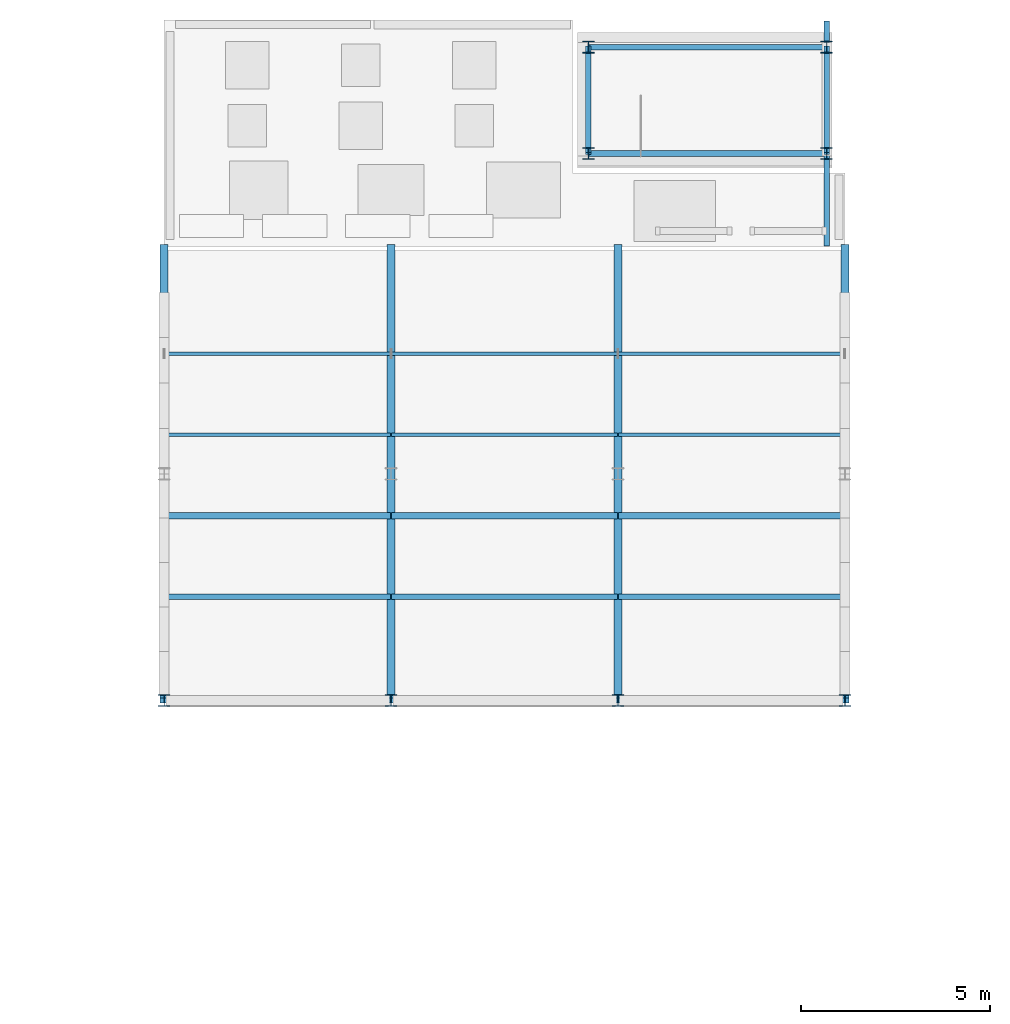
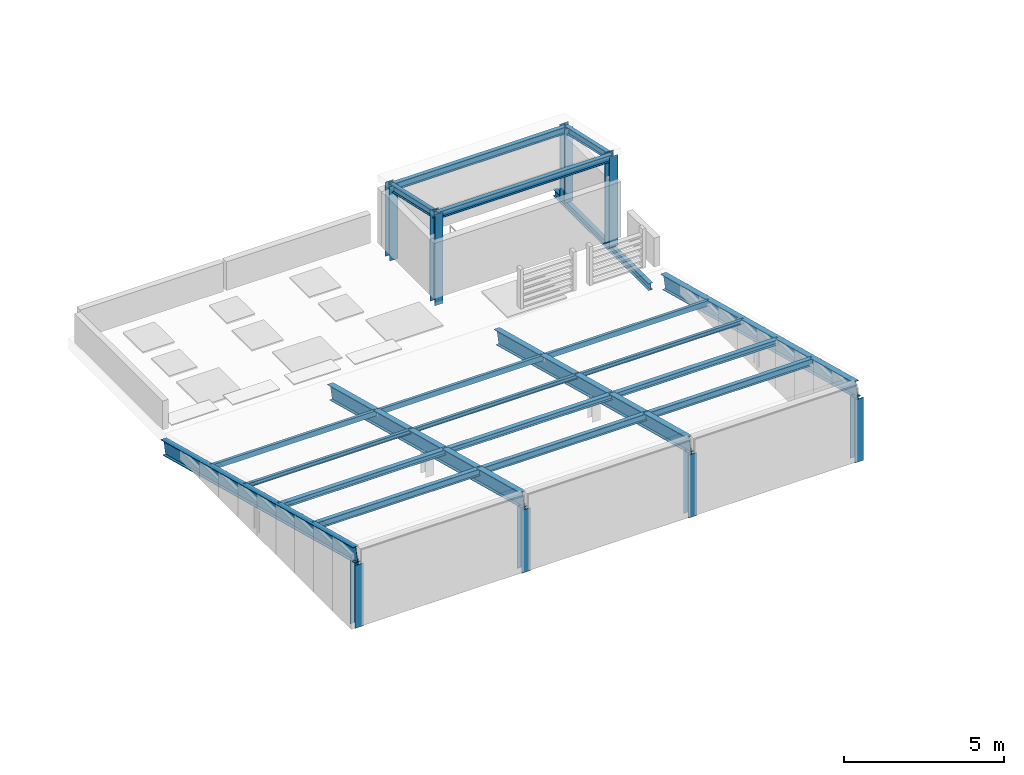
# One storey, part 15 of 74: 20 members, 9 beams.
"""IFC4 building model written with IfcOpenShell, lengths in metres."""

import ifcopenshell
import ifcopenshell.guid

model = None  # the IFC model being written
_history = None  # IfcOwnerHistory: only IFC2X3 demands one
_inside = {}  # id of a spatial element -> (the spatial element, [elements in it])
_under = {}  # id of a project, library or spatial element -> (it, [spatial elements below it])
_declared = {}  # id of a project -> (the project, [libraries it declares])
_typed = {}  # id of a type object -> (the type object, [elements of that type])
_made_of = {}  # id of a material, layer set ... -> (it, [elements and type objects made of it])


def new_model(schema):
    """Start an empty IFC model of exactly this schema.

    Asked for "IFC4X3", IfcOpenShell would pick the latest addendum, in which some entities
    have other attributes; the version numbers below select the first issue.
    IFC2X3 requires an IfcOwnerHistory on every rooted entity: one is made here for all.
    """
    global model, _history
    if schema == "IFC4X3":
        model = ifcopenshell.file(schema_version=(4, 3, 0, 0))
    else:
        model = ifcopenshell.file(schema=schema)
    _inside.clear()
    _under.clear()
    _declared.clear()
    _typed.clear()
    _made_of.clear()
    _history = None
    if model.schema == "IFC2X3":
        org = make("IfcOrganization", Name="unknown")
        user = make(
            "IfcPersonAndOrganization",
            ThePerson=make("IfcPerson", FamilyName="unknown"),
            TheOrganization=org,
        )
        app = make(
            "IfcApplication",
            ApplicationDeveloper=org,
            Version="unknown",
            ApplicationFullName="unknown",
            ApplicationIdentifier="unknown",
        )
        _history = make(
            "IfcOwnerHistory",
            OwningUser=user,
            OwningApplication=app,
            ChangeAction="ADDED",
            CreationDate=0,
        )
    return model


def make(cls, **values):
    """One entity of the class cls with the attributes given. An attribute that is None is left unset."""
    return model.create_entity(
        cls, **{name: value for name, value in values.items() if value is not None}
    )


def rooted(cls, **values):
    """An entity with a GlobalId (a new one), such as an element, a storey or a relation."""
    return make(cls, GlobalId=ifcopenshell.guid.new(), OwnerHistory=_history, **values)


def si_unit(unit_type, name, prefix=None):
    """IfcSIUnit, for example si_unit("LENGTHUNIT", "METRE", prefix="MILLI")."""
    return make("IfcSIUnit", UnitType=unit_type, Prefix=prefix, Name=name)


def assignment(units):
    """IfcUnitAssignment: the units of a project."""
    return None if units is None else make("IfcUnitAssignment", Units=units)


def point(xyz):
    """IfcCartesianPoint."""
    return None if xyz is None else make("IfcCartesianPoint", Coordinates=xyz)


def direction(xyz):
    """IfcDirection."""
    return None if xyz is None else make("IfcDirection", DirectionRatios=xyz)


def frame(location, z_axis=None, x_axis=None):
    """IfcAxis2Placement3D, a coordinate frame: its origin and axes. An axis left out is left unset."""
    return make(
        "IfcAxis2Placement3D",
        Location=point(location),
        Axis=direction(z_axis),
        RefDirection=direction(x_axis),
    )


def frame_2d(location, x_axis=None):
    """IfcAxis2Placement2D, a coordinate frame in the plane: its origin and x axis."""
    return make(
        "IfcAxis2Placement2D", Location=point(location), RefDirection=direction(x_axis)
    )


def origin():
    """The frame at (0, 0, 0) with its axes left unset."""
    return frame((0.0, 0.0, 0.0))


def origin_2d():
    """The frame at (0, 0) in the plane with its x axis left unset."""
    return frame_2d((0.0, 0.0))


def place(relative_to, where):
    """IfcLocalPlacement: puts the frame where relative to a parent placement (None: the world)."""
    return make(
        "IfcLocalPlacement", PlacementRelTo=relative_to, RelativePlacement=where
    )


def context(
    kind, dimensions, precision=None, world=None, true_north=None, identifier=None
):
    """IfcGeometricRepresentationContext, for example the 3D "Model" context."""
    return make(
        "IfcGeometricRepresentationContext",
        ContextIdentifier=identifier,
        ContextType=kind,
        CoordinateSpaceDimension=dimensions,
        Precision=precision,
        WorldCoordinateSystem=world,
        TrueNorth=true_north,
    )


def subcontext(parent, identifier, kind, view, scale=None):
    """IfcGeometricRepresentationSubContext, for example "Body" below "Model"."""
    return make(
        "IfcGeometricRepresentationSubContext",
        ContextIdentifier=identifier,
        ContextType=kind,
        ParentContext=parent,
        TargetScale=scale,
        TargetView=view,
    )


def project(units=None, contexts=None):
    """IfcProject with its units and contexts."""
    return rooted(
        "IfcProject",
        Name="project",
        RepresentationContexts=contexts,
        UnitsInContext=assignment(units),
    )


def spatial(cls, under=None, at=None, **own):
    """A site, building, storey or space (cls), placed at a placement, below another one or the project."""
    s = rooted(cls, ObjectPlacement=at, **own)
    if under is not None:
        _under.setdefault(under.id(), (under, []))[1].append(s)
    return s


def profile(cls, at=None, kind="AREA", **sizes):
    """A parametric profile (cls). Its sizes go by their IFC names, for example OverallWidth=200.0."""
    return make(cls, ProfileType=kind, Position=at, **sizes)


def hollow_rectangle(**sizes):
    """IfcRectangleHollowProfileDef."""
    return profile("IfcRectangleHollowProfileDef", **sizes)


def i_section(**sizes):
    """IfcIShapeProfileDef."""
    return profile("IfcIShapeProfileDef", **sizes)


def extrude(swept, where, along, depth):
    """IfcExtrudedAreaSolid: the profile swept, set in the frame where, extruded along a direction by depth."""
    return make(
        "IfcExtrudedAreaSolid",
        SweptArea=swept,
        Position=where,
        ExtrudedDirection=direction(along),
        Depth=depth,
    )


def shape(context_of_items, identifier, shape_type, items):
    """IfcShapeRepresentation: the items that make up one representation, for example the "Body"."""
    return make(
        "IfcShapeRepresentation",
        ContextOfItems=context_of_items,
        RepresentationIdentifier=identifier,
        RepresentationType=shape_type,
        Items=items,
    )


def material(Name=None, Category=None):
    """IfcMaterial."""
    return make("IfcMaterial", Name=Name, Category=Category)


def material_profile(
    of_material, cross_section, Name=None, Category=None, Priority=None
):
    """IfcMaterialProfile: a cross section and its material."""
    return make(
        "IfcMaterialProfile",
        Name=Name,
        Material=of_material,
        Profile=cross_section,
        Priority=Priority,
        Category=Category,
    )


def profile_set(profiles, Name=None, composite=None):
    """IfcMaterialProfileSet."""
    return make(
        "IfcMaterialProfileSet",
        Name=Name,
        MaterialProfiles=profiles,
        CompositeProfile=composite,
    )


def made_of(thing, what):
    """Note that an element or type object is made of a material, layer set ...; save() writes the relation."""
    if what is not None:
        _made_of.setdefault(what.id(), (what, []))[1].append(thing)
    return thing


def type_object(cls, material=None, **own):
    """A type object (cls), such as IfcWallType, which elements share."""
    return made_of(rooted(cls, **own), material)


def element(
    cls,
    number,
    at=None,
    inside=None,
    cuts=None,
    type_object=None,
    material=None,
    context=None,
    identifier="Body",
    shape_type=None,
    held_by="IfcProductDefinitionShape",
    body=None,
    shapes=None,
    **own,
):
    """One element of the class cls, such as IfcWall. Its Tag is "e" and its number.

    at: its placement. inside: the storey or other place that contains it. cuts: it is an
    opening in that element (IfcRelVoidsElement). A single representation is given by context,
    identifier, shape_type and body (its items); several are given by shapes. held_by: the class
    of the entity that holds the representations. save() writes the other relations.
    """
    e = rooted(cls, Tag="e%d" % number, ObjectPlacement=at, **own)
    if body is not None:
        shapes = [shape(context, identifier, shape_type, body)]
    if shapes is not None:
        e.Representation = make(held_by, Representations=shapes)
    if inside is not None:
        _inside.setdefault(inside.id(), (inside, []))[1].append(e)
    if cuts is not None:
        rooted(
            "IfcRelVoidsElement", RelatingBuildingElement=cuts, RelatedOpeningElement=e
        )
    if type_object is not None:
        _typed.setdefault(type_object.id(), (type_object, []))[1].append(e)
    return made_of(e, material)


def aggregate(whole, parts):
    """IfcRelAggregates: a whole, such as a stair, and the parts it consists of."""
    return rooted("IfcRelAggregates", RelatingObject=whole, RelatedObjects=parts)


def save(model, path):
    """Write the relations noted so far, then the file.

    IfcRelAggregates (storeys below a building ...), IfcRelContainedInSpatialStructure (elements
    in a storey), IfcRelDefinesByType, IfcRelAssociatesMaterial and IfcRelDeclares: one each for
    every whole, place, type object, material and project.
    """
    for whole, parts in _under.values():
        aggregate(whole, parts)
    for where, things in _inside.values():
        rooted(
            "IfcRelContainedInSpatialStructure",
            RelatedElements=things,
            RelatingStructure=where,
        )
    for kind, things in _typed.values():
        rooted("IfcRelDefinesByType", RelatedObjects=things, RelatingType=kind)
    for what, things in _made_of.values():
        rooted("IfcRelAssociatesMaterial", RelatedObjects=things, RelatingMaterial=what)
    for by, libraries in _declared.values():
        rooted("IfcRelDeclares", RelatingContext=by, RelatedDefinitions=libraries)
    model.write(path)


model = new_model("IFC4")

# Units and contexts
model_context = context("Model", 3, precision=1e-05, world=origin(), true_north=direction((0.0, 1.0)))
body_context = subcontext(model_context, "Body", "Model", "MODEL_VIEW")
ifc_project = project(units=[si_unit("LENGTHUNIT", "METRE"), si_unit("AREAUNIT", "SQUARE_METRE"), si_unit("VOLUMEUNIT", "CUBIC_METRE"), si_unit("PLANEANGLEUNIT", "RADIAN"), si_unit("MASSUNIT", "GRAM", prefix="KILO")], contexts=[model_context])

# Site, building, storey
site_placement = place(None, origin())
site = spatial("IfcSite", under=ifc_project, at=site_placement, CompositionType="ELEMENT")
building_placement = place(site_placement, origin())
building = spatial("IfcBuilding", under=site, at=building_placement, Name="Siltcreek Boulevard Central Fire Station", CompositionType="ELEMENT")
storey_placement = place(building_placement, frame((0.0, 0.0, 25.199951171875)))
storey = spatial("IfcBuildingStorey", under=building, at=storey_placement, Name="RF", CompositionType="ELEMENT", Elevation=25.199951171875)

# Beams
ifc_material_1 = material(Name="Structural steel ASTM A992 Gr50", Category="steel")
ifc_material_profile_1 = material_profile(ifc_material_1, i_section(OverallWidth=0.2109375, OverallDepth=0.5390625, WebThickness=0.01171875, FlangeThickness=0.018798828125, at=origin_2d()), Name="W530X109")
ifc_profile_set_1 = profile_set([ifc_material_profile_1], Name="Structural steel ASTM A992 Gr50")
beam_type_1 = type_object("IfcBeamType", Name="BM_W530X109", PredefinedType="BEAM", material=ifc_profile_set_1)
for number, where, z_axis, x_axis, name in (
    (1, (42.0, 94.199951171875, 2.671630859375), (0.0, 0.967010286052, -0.254737328772), (-1.0, 0.0, 0.0), "Pitched roof rafter beam RFB-031"),
    (2, (48.0, 94.199951171875, 2.671630859375), (0.0, 0.967010286052, -0.254737328772), (-1.0, 0.0, 0.0), "Pitched roof rafter beam RFB-032"),
    (3, (54.0, 94.199951171875, 2.671630859375), (0.0, 0.967010286052, -0.254737328772), (-1.0, 0.0, 0.0), "Pitched roof rafter beam RFB-033"),
    (4, (60.0, 94.199951171875, 2.671630859375), (0.0, 0.967010286052, -0.254737328772), (-1.0, 0.0, 0.0), "Pitched roof rafter beam RFB-034"),
):
    element("IfcBeam", number, at=place(storey_placement, frame(where, z_axis=z_axis, x_axis=x_axis)), inside=storey, type_object=beam_type_1, Name=name, PredefinedType="BEAM", context=body_context, shape_type="SweptSolid", body=[
        extrude(i_section(OverallWidth=0.2109375, OverallDepth=0.5390625, WebThickness=0.01171875, FlangeThickness=0.018798828125, at=origin_2d()), origin(), (0.0, 0.0, 1.0), 12.409423828125),
    ])

# Members
ifc_material_profile_2 = material_profile(ifc_material_1, i_section(OverallWidth=0.304931640625, OverallDepth=0.30810546875, WebThickness=0.010009765625, FlangeThickness=0.015380859375, at=origin_2d()), Name="W310X97")
ifc_profile_set_2 = profile_set([ifc_material_profile_2], Name="Structural steel ASTM A992 Gr50")
member_type_1 = type_object("IfcMemberType", Name="CH_W310X97", PredefinedType="CHORD", material=ifc_profile_set_2)
for number, where, z_axis, x_axis, name in (
    (5, (42.0, 94.199951171875, 0.0), (0.0, 0.0, 1.0), (1.0, 0.0, 0.0), "Roof bearing truss post 0689"),
    (6, (48.0, 94.199951171875, 0.0), (0.0, 0.0, 1.0), (1.0, 0.0, 0.0), "Roof bearing truss post 0698"),
    (7, (54.0, 94.199951171875, 0.0), (0.0, 0.0, 1.0), (1.0, 0.0, 0.0), "Roof bearing truss post 0707"),
    (8, (60.0, 94.199951171875, 0.0), (0.0, 0.0, 1.0), (1.0, 0.0, 0.0), "Roof bearing truss post 0716"),
):
    element("IfcMember", number, at=place(storey_placement, frame(where, z_axis=z_axis, x_axis=x_axis)), inside=storey, type_object=member_type_1, Name=name, PredefinedType="CHORD", context=body_context, shape_type="SweptSolid", body=[
        extrude(i_section(OverallWidth=0.304931640625, OverallDepth=0.30810546875, WebThickness=0.010009765625, FlangeThickness=0.015380859375, at=origin_2d()), origin(), (0.0, 0.0, 1.0), 2.396728515625),
    ])
for number, where, z_axis, x_axis, name in (
    (9, (53.219970703125, 108.669921875, -0.419921875), (0.0, 0.0, 1.0), (1.0, 0.0, 0.0), "RF ST-V3-RF head-house corner post 1"),
    (10, (59.52001953125, 108.669921875, -0.419921875), (0.0, 0.0, 1.0), (1.0, 0.0, 0.0), "RF ST-V3-RF head-house corner post 2"),
):
    element("IfcMember", number, at=place(storey_placement, frame(where, z_axis=z_axis, x_axis=x_axis)), inside=storey, type_object=member_type_1, Name=name, PredefinedType="CHORD", context=body_context, shape_type="SweptSolid", body=[
        extrude(i_section(OverallWidth=0.304931640625, OverallDepth=0.30810546875, WebThickness=0.010009765625, FlangeThickness=0.015380859375, at=origin_2d()), origin(), (0.0, 0.0, 1.0), 3.455078125),
    ])
for number, where, z_axis, x_axis, name in (
    (11, (59.52001953125, 111.47998046875, -0.419921875), (0.0, 0.0, 1.0), (1.0, 0.0, 0.0), "RF ST-V3-RF head-house corner post 3"),
    (12, (53.219970703125, 111.47998046875, -0.419921875), (0.0, 0.0, 1.0), (1.0, 0.0, 0.0), "RF ST-V3-RF head-house corner post 4"),
):
    element("IfcMember", number, at=place(storey_placement, frame(where, z_axis=z_axis, x_axis=x_axis)), inside=storey, type_object=member_type_1, Name=name, PredefinedType="CHORD", context=body_context, shape_type="SweptSolid", body=[
        extrude(i_section(OverallWidth=0.304931640625, OverallDepth=0.30810546875, WebThickness=0.010009765625, FlangeThickness=0.015380859375, at=origin_2d()), origin(), (0.0, 0.0, 1.0), 2.824951171875),
    ])

# Beams
ifc_material_profile_3 = material_profile(ifc_material_1, i_section(OverallWidth=0.14697265625, OverallDepth=0.261962890625, WebThickness=0.006591796875, FlangeThickness=0.01123046875, at=origin_2d()), Name="W250X39")
ifc_profile_set_3 = profile_set([ifc_material_profile_3], Name="Structural steel ASTM A992 Gr50")
beam_type_2 = type_object("IfcBeamType", Name="JST_W250X39", PredefinedType="JOIST", material=ifc_profile_set_3)
beam_1_placement = place(storey_placement, frame((59.52001953125, 106.219970703125, -0.551025390625), z_axis=(0.0, 1.0, 0.0), x_axis=(-1.0, 0.0, 0.0)))
element("IfcBeam", 13, at=beam_1_placement, inside=storey, type_object=beam_type_2, Name="RF ST-V3-RF head-house east base girder", PredefinedType="JOIST", context=body_context, shape_type="SweptSolid", body=[
    extrude(i_section(OverallWidth=0.14697265625, OverallDepth=0.261962890625, WebThickness=0.006591796875, FlangeThickness=0.01123046875, at=origin_2d()), origin(), (0.0, 0.0, 1.0), 5.9599609375),
])
beam_2_placement = place(storey_placement, frame((53.219970703125, 108.669921875, 2.904052734375), z_axis=(1.0, 0.0, 0.0), x_axis=(0.0, 1.0, 0.0)))
element("IfcBeam", 14, at=beam_2_placement, inside=storey, type_object=beam_type_2, Name="RF ST-V3-RF head-house roof rafter 1", PredefinedType="JOIST", context=body_context, shape_type="SweptSolid", body=[
    extrude(i_section(OverallWidth=0.14697265625, OverallDepth=0.261962890625, WebThickness=0.006591796875, FlangeThickness=0.01123046875, at=origin_2d()), origin(), (0.0, 0.0, 1.0), 6.300048828125),
])
beam_3_placement = place(storey_placement, frame((59.52001953125, 108.669921875, 2.904052734375), z_axis=(0.0, 0.975786457459, -0.218725374478), x_axis=(-1.0, 0.0, 0.0)))
element("IfcBeam", 15, at=beam_3_placement, inside=storey, type_object=beam_type_2, Name="RF ST-V3-RF head-house roof rafter 2", PredefinedType="JOIST", context=body_context, shape_type="SweptSolid", body=[
    extrude(i_section(OverallWidth=0.14697265625, OverallDepth=0.261962890625, WebThickness=0.006591796875, FlangeThickness=0.01123046875, at=origin_2d()), origin(), (0.0, 0.0, 1.0), 2.8798828125),
])
beam_4_placement = place(storey_placement, frame((59.52001953125, 111.47998046875, 2.274169921875), z_axis=(-1.0, 0.0, 0.0), x_axis=(0.0, -1.0, 0.0)))
element("IfcBeam", 16, at=beam_4_placement, inside=storey, type_object=beam_type_2, Name="RF ST-V3-RF head-house roof rafter 3", PredefinedType="JOIST", context=body_context, shape_type="SweptSolid", body=[
    extrude(i_section(OverallWidth=0.14697265625, OverallDepth=0.261962890625, WebThickness=0.006591796875, FlangeThickness=0.01123046875, at=origin_2d()), origin(), (0.0, 0.0, 1.0), 6.300048828125),
])
beam_5_placement = place(storey_placement, frame((53.219970703125, 111.47998046875, 2.274169921875), z_axis=(0.0, -0.975786457459, 0.218725374478), x_axis=(1.0, 0.0, 0.0)))
element("IfcBeam", 17, at=beam_5_placement, inside=storey, type_object=beam_type_2, Name="RF ST-V3-RF head-house roof rafter 4", PredefinedType="JOIST", context=body_context, shape_type="SweptSolid", body=[
    extrude(i_section(OverallWidth=0.14697265625, OverallDepth=0.261962890625, WebThickness=0.006591796875, FlangeThickness=0.01123046875, at=origin_2d()), origin(), (0.0, 0.0, 1.0), 2.8798828125),
])

# Members
ifc_material_2 = material(Name="Structural steel ASTM A500 GrC", Category="steel")
ifc_material_profile_4 = material_profile(ifc_material_2, hollow_rectangle(XDim=0.10009765625, YDim=0.199951171875, WallThickness=0.00634765625, at=origin_2d()), Name="HSS200X100X6.4")
ifc_profile_set_4 = profile_set([ifc_material_profile_4], Name="Structural steel ASTM A500 GrC")
member_type_2 = type_object("IfcMemberType", Name="PR_HSS200X100", PredefinedType="PURLIN", material=ifc_profile_set_4)
for number, where, z_axis, x_axis, name in (
    (18, (42.010009765625, 103.3759765625, 0.4296875), (1.0, 0.0, 0.0), (0.0, 1.0, 0.0), "Sloped roof purlin PR-0175"),
    (19, (48.010009765625, 103.3759765625, 0.4296875), (1.0, 0.0, 0.0), (0.0, 1.0, 0.0), "Sloped roof purlin PR-0179"),
    (20, (54.010009765625, 103.3759765625, 0.4296875), (1.0, 0.0, 0.0), (0.0, 1.0, 0.0), "Sloped roof purlin PR-0183"),
):
    element("IfcMember", number, at=place(storey_placement, frame(where, z_axis=z_axis, x_axis=x_axis)), inside=storey, type_object=member_type_2, Name=name, PredefinedType="PURLIN", context=body_context, shape_type="SweptSolid", body=[
        extrude(hollow_rectangle(XDim=0.10009765625, YDim=0.199951171875, WallThickness=0.00634765625, at=origin_2d()), origin(), (0.0, 0.0, 1.0), 5.97998046875),
    ])
ifc_material_profile_5 = material_profile(ifc_material_1, i_section(OverallWidth=0.10205078125, OverallDepth=0.159912109375, WebThickness=0.006591796875, FlangeThickness=0.01025390625, at=origin_2d()), Name="W150X24")
ifc_profile_set_5 = profile_set([ifc_material_profile_5], Name="Structural steel ASTM A992 Gr50")
member_type_3 = type_object("IfcMemberType", Name="PR_W150X24", PredefinedType="PURLIN", material=ifc_profile_set_5)
for number, where, z_axis, x_axis, name in (
    (21, (42.010009765625, 101.23193359375, 1.01513671875), (1.0, 0.0, 0.0), (0.0, 1.0, 0.0), "Sloped roof purlin PR-0174"),
    (22, (48.010009765625, 101.23193359375, 1.01513671875), (1.0, 0.0, 0.0), (0.0, 1.0, 0.0), "Sloped roof purlin PR-0178"),
    (23, (54.010009765625, 101.23193359375, 1.01513671875), (1.0, 0.0, 0.0), (0.0, 1.0, 0.0), "Sloped roof purlin PR-0182"),
):
    element("IfcMember", number, at=place(storey_placement, frame(where, z_axis=z_axis, x_axis=x_axis)), inside=storey, type_object=member_type_3, Name=name, PredefinedType="PURLIN", context=body_context, shape_type="SweptSolid", body=[
        extrude(i_section(OverallWidth=0.10205078125, OverallDepth=0.159912109375, WebThickness=0.006591796875, FlangeThickness=0.01025390625, at=origin_2d()), origin(), (0.0, 0.0, 1.0), 5.97998046875),
    ])
ifc_material_profile_6 = material_profile(ifc_material_1, i_section(OverallWidth=0.1650390625, OverallDepth=0.200927734375, WebThickness=0.006103515625, FlangeThickness=0.01025390625, at=origin_2d()), Name="W200X36")
ifc_profile_set_6 = profile_set([ifc_material_profile_6], Name="Structural steel ASTM A992 Gr50")
member_type_4 = type_object("IfcMemberType", Name="PR_W200X36", PredefinedType="PURLIN", material=ifc_profile_set_6)
for number, where, z_axis, x_axis, name in (
    (24, (42.010009765625, 99.087890625, 1.55859375), (1.0, 0.0, 0.0), (0.0, 1.0, 0.0), "Sloped roof purlin PR-0173"),
    (25, (48.010009765625, 99.087890625, 1.55859375), (1.0, 0.0, 0.0), (0.0, 1.0, 0.0), "Sloped roof purlin PR-0177"),
    (26, (54.010009765625, 99.087890625, 1.55859375), (1.0, 0.0, 0.0), (0.0, 1.0, 0.0), "Sloped roof purlin PR-0181"),
):
    element("IfcMember", number, at=place(storey_placement, frame(where, z_axis=z_axis, x_axis=x_axis)), inside=storey, type_object=member_type_4, Name=name, PredefinedType="PURLIN", context=body_context, shape_type="SweptSolid", body=[
        extrude(i_section(OverallWidth=0.1650390625, OverallDepth=0.200927734375, WebThickness=0.006103515625, FlangeThickness=0.01025390625, at=origin_2d()), origin(), (0.0, 0.0, 1.0), 5.97998046875),
    ])
ifc_material_profile_7 = material_profile(ifc_material_1, i_section(OverallWidth=0.14697265625, OverallDepth=0.261962890625, WebThickness=0.006591796875, FlangeThickness=0.01123046875, at=origin_2d()), Name="W250X39")
ifc_profile_set_7 = profile_set([ifc_material_profile_7], Name="Structural steel ASTM A992 Gr50")
member_type_5 = type_object("IfcMemberType", Name="PR_W250X39", PredefinedType="PURLIN", material=ifc_profile_set_7)
for number, where, z_axis, x_axis, name in (
    (27, (42.010009765625, 96.944091796875, 2.091796875), (1.0, 0.0, 0.0), (0.0, 1.0, 0.0), "Sloped roof purlin PR-0172"),
    (28, (48.010009765625, 96.944091796875, 2.091796875), (1.0, 0.0, 0.0), (0.0, 1.0, 0.0), "Sloped roof purlin PR-0176"),
    (29, (54.010009765625, 96.944091796875, 2.091796875), (1.0, 0.0, 0.0), (0.0, 1.0, 0.0), "Sloped roof purlin PR-0180"),
):
    element("IfcMember", number, at=place(storey_placement, frame(where, z_axis=z_axis, x_axis=x_axis)), inside=storey, type_object=member_type_5, Name=name, PredefinedType="PURLIN", context=body_context, shape_type="SweptSolid", body=[
        extrude(i_section(OverallWidth=0.14697265625, OverallDepth=0.261962890625, WebThickness=0.006591796875, FlangeThickness=0.01123046875, at=origin_2d()), origin(), (0.0, 0.0, 1.0), 5.97998046875),
    ])

save(model, "model.ifc")
